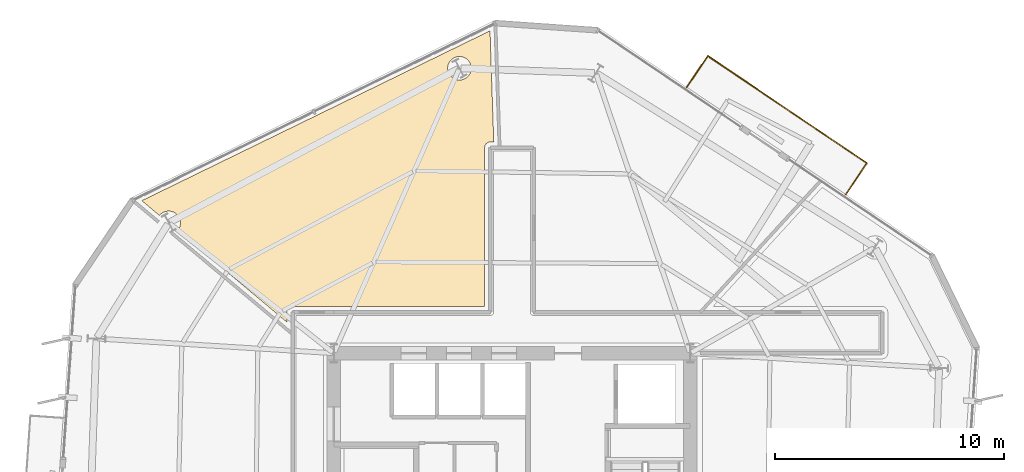
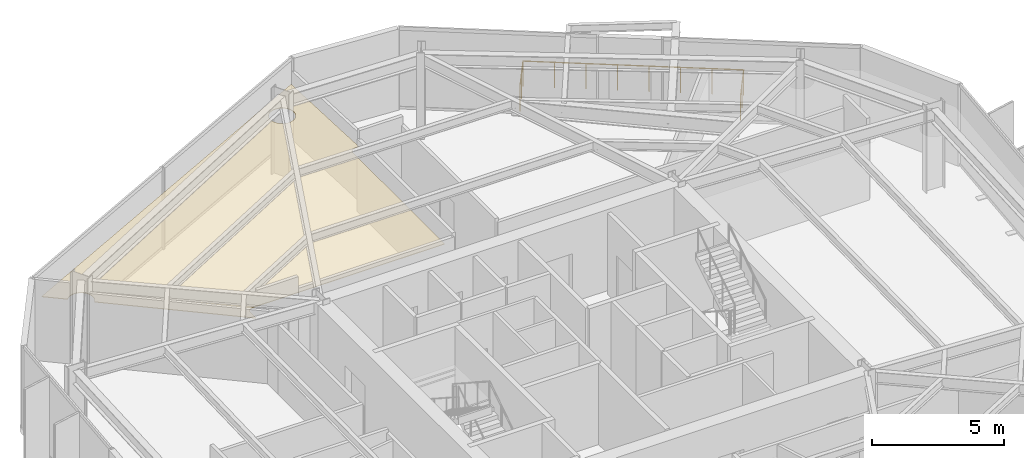
# One storey, part 14 of 14: 1 covering, 1 railing.
"""IFC4 building model written with IfcOpenShell, lengths in metres."""

from ifc_helpers import new_model, si_unit, direction, frame, origin, origin_2d, place, context, subcontext, project, spatial, polyline, circle, outline, extrude, material, layer, layer_set, type_object, element, save


model = new_model("IFC4")

# Units and contexts
model_context = context("Model", 3, precision=1e-05, world=origin(), true_north=direction((0.0, 1.0)))
body_context = subcontext(model_context, "Body", "Model", "MODEL_VIEW")
ifc_project = project(units=[si_unit("LENGTHUNIT", "METRE"), si_unit("AREAUNIT", "SQUARE_METRE"), si_unit("VOLUMEUNIT", "CUBIC_METRE"), si_unit("PLANEANGLEUNIT", "RADIAN"), si_unit("MASSUNIT", "GRAM", prefix="KILO")], contexts=[model_context])

# Site, building, storey
site_placement = place(None, origin())
site = spatial("IfcSite", under=ifc_project, at=site_placement, CompositionType="ELEMENT")
building_placement = place(site_placement, origin())
building = spatial("IfcBuilding", under=site, at=building_placement, Name="Kranzbogen Civic Tower", CompositionType="ELEMENT")
storey_placement = place(building_placement, frame((0.0, 0.0, 126.39990234375)))
storey = spatial("IfcBuildingStorey", under=building, at=storey_placement, Name="L30", CompositionType="ELEMENT", Elevation=126.39990234375)

# Railing
ifc_material_1 = material(Name="Anodised Bronze Aluminium", Category="aluminium")
railing_type = type_object("IfcRailingType", Name="Cantilevered Balcony Glass and Bronze Balustrade 1200", PredefinedType="BALUSTRADE", material=ifc_material_1)
railing_placement = place(storey_placement, frame((39.610107421875, 39.14892578125, 0.0)))
element("IfcRailing", 1, at=railing_placement, inside=storey, type_object=railing_type, Name="L30 exterior terrace balustrade L30-ST", PredefinedType="BALUSTRADE", context=body_context, shape_type="SweptSolid", body=[
    extrude(circle(Radius=0.02392578125, at=origin_2d()), frame((0.0, 0.0, 1.17578125), z_axis=(0.559198421631, 0.829033850482, 0.0), x_axis=(-0.829033850482, 0.559198421631, 0.0)), (0.0, 0.0, 1.0), 1.650390625),
    extrude(circle(Radius=0.02392578125, at=origin_2d()), frame((0.9228515625, 1.3681640625, 1.17578125), z_axis=(-0.829046747521, 0.559179300784, 0.0), x_axis=(-0.559179300784, -0.829046747521, 0.0)), (0.0, 0.0, 1.0), 8.39990234375),
    extrude(circle(Radius=0.02392578125, at=origin_2d()), frame((-6.041015625, 6.065185546875, 1.17578125), z_axis=(-0.559300085065, -0.828965267576, 0.0), x_axis=(0.828965267576, -0.559300085065, 0.0)), (0.0, 0.0, 1.0), 1.650390625),
    extrude(circle(Radius=0.02099609375, at=origin_2d()), origin(), (0.0, 0.0, 1.0), 1.15185546875),
    extrude(circle(Radius=0.02099609375, at=origin_2d()), frame((0.46142578125, 0.68408203125, 0.0)), (0.0, 0.0, 1.0), 1.15185546875),
    extrude(circle(Radius=0.02099609375, at=origin_2d()), frame((0.9228515625, 1.3681640625, 0.0)), (0.0, 0.0, 1.0), 1.15185546875),
    extrude(circle(Radius=0.02099609375, at=origin_2d()), frame((-0.072021484375, 2.0390625, 0.0)), (0.0, 0.0, 1.0), 1.15185546875),
    extrude(circle(Radius=0.02099609375, at=origin_2d()), frame((-1.06689453125, 2.710205078125, 0.0)), (0.0, 0.0, 1.0), 1.15185546875),
    extrude(circle(Radius=0.02099609375, at=origin_2d()), frame((-2.061767578125, 3.381103515625, 0.0)), (0.0, 0.0, 1.0), 1.15185546875),
    extrude(circle(Radius=0.02099609375, at=origin_2d()), frame((-3.056396484375, 4.05224609375, 0.0)), (0.0, 0.0, 1.0), 1.15185546875),
    extrude(circle(Radius=0.02099609375, at=origin_2d()), frame((-4.05126953125, 4.72314453125, 0.0)), (0.0, 0.0, 1.0), 1.15185546875),
    extrude(circle(Radius=0.02099609375, at=origin_2d()), frame((-5.046142578125, 5.394287109375, 0.0)), (0.0, 0.0, 1.0), 1.15185546875),
    extrude(circle(Radius=0.02099609375, at=origin_2d()), frame((-6.041015625, 6.065185546875, 0.0)), (0.0, 0.0, 1.0), 1.15185546875),
    extrude(circle(Radius=0.02099609375, at=origin_2d()), frame((-6.50244140625, 5.381103515625, 0.0)), (0.0, 0.0, 1.0), 1.15185546875),
    extrude(circle(Radius=0.02099609375, at=origin_2d()), frame((-6.964111328125, 4.697021484375, 0.0)), (0.0, 0.0, 1.0), 1.15185546875),
])

# Covering
ifc_material_2 = material(Name="Perforated Acoustic Gypsum Ceiling")
ifc_layer = layer(ifc_material_2, 0.02490234375, Name="Perforated Acoustic Gypsum Ceiling")
ifc_layer_set = layer_set([ifc_layer], Name="Perforated Acoustic Gypsum Ceiling")
covering_type = type_object("IfcCoveringType", Name="Perforated Acoustic Mineral Ceiling Tile 25 mm", PredefinedType="CEILING", material=ifc_layer_set)
covering_placement = place(storey_placement, frame((0.0, 0.0, 2.75)))
element("IfcCovering", 2, at=covering_placement, inside=storey, type_object=covering_type, Name="L30 Refreshment Galley Pantry acoustic ceiling", PredefinedType="CEILING", context=body_context, shape_type="SweptSolid", body=[
    extrude(outline(polyline([(24.201904296875, 41.445068359375), (24.050048828125, 41.445068359375), (24.041015625, 41.445068359375), (24.034912109375, 41.444091796875), (24.01708984375, 41.443115234375), (24.010986328125, 41.44189453125), (23.993896484375, 41.43798828125), (23.987060546875, 41.43701171875), (23.969970703125, 41.431884765625), (23.964111328125, 41.429931640625), (23.947998046875, 41.423095703125), (23.94189453125, 41.419921875), (23.927001953125, 41.412109375), (23.9208984375, 41.407958984375), (23.906982421875, 41.39892578125), (23.902099609375, 41.39501953125), (23.887939453125, 41.384033203125), (23.883056640625, 41.37890625), (23.87109375, 41.366943359375), (23.865966796875, 41.362060546875), (23.85498046875, 41.347900390625), (23.85107421875, 41.343017578125), (23.842041015625, 41.3291015625), (23.837890625, 41.322998046875), (23.830078125, 41.30810546875), (23.826904296875, 41.302001953125), (23.820068359375, 41.285888671875), (23.818115234375, 41.280029296875), (23.81298828125, 41.262939453125), (23.81201171875, 41.256103515625), (23.80810546875, 41.239013671875), (23.806884765625, 41.23291015625), (23.805908203125, 41.215087890625), (23.804931640625, 41.208984375), (23.804931640625, 41.199951171875), (23.804931640625, 34.2451171875), (15.39990234375, 34.2451171875), (15.39111328125, 34.2451171875), (15.385009765625, 34.243896484375), (15.366943359375, 34.242919921875), (15.361083984375, 34.241943359375), (15.343994140625, 34.238037109375), (15.3369140625, 34.237060546875), (15.320068359375, 34.23193359375), (15.31396484375, 34.22998046875), (15.298095703125, 34.222900390625), (15.2919921875, 34.219970703125), (15.277099609375, 34.2119140625), (15.27099609375, 34.2080078125), (15.257080078125, 34.198974609375), (15.251953125, 34.195068359375), (15.238037109375, 34.18408203125), (15.23291015625, 34.178955078125), (15.220947265625, 34.1669921875), (15.216064453125, 34.162109375), (15.205078125, 34.14794921875), (15.200927734375, 34.14306640625), (15.19189453125, 34.12890625), (15.18798828125, 34.123046875), (15.179931640625, 34.10791015625), (15.177001953125, 34.10205078125), (15.169921875, 34.0859375), (15.16796875, 34.080078125), (15.1630859375, 34.06298828125), (15.162109375, 34.055908203125), (15.157958984375, 34.0390625), (15.156982421875, 34.032958984375), (15.156005859375, 34.014892578125), (15.155029296875, 34.009033203125), (15.155029296875, 34.0), (15.155029296875, 33.55810546875), (10.363037109375, 37.569091796875), (10.375, 37.58203125), (10.405029296875, 37.6220703125), (10.430908203125, 37.666015625), (10.451904296875, 37.7109375), (10.468994140625, 37.759033203125), (10.48095703125, 37.80810546875), (10.489013671875, 37.85791015625), (10.490966796875, 37.907958984375), (10.489013671875, 37.9580078125), (10.48095703125, 38.008056640625), (10.468994140625, 38.056884765625), (10.451904296875, 38.10498046875), (10.430908203125, 38.14990234375), (10.405029296875, 38.194091796875), (10.375, 38.23388671875), (10.341064453125, 38.27197265625), (10.302978515625, 38.305908203125), (10.262939453125, 38.3359375), (10.218994140625, 38.362060546875), (10.174072265625, 38.383056640625), (10.1259765625, 38.39990234375), (10.076904296875, 38.412109375), (10.027099609375, 38.419921875), (9.97705078125, 38.422119140625), (9.927001953125, 38.419921875), (9.876953125, 38.412109375), (9.827880859375, 38.39990234375), (9.780029296875, 38.383056640625), (9.735107421875, 38.362060546875), (9.69091796875, 38.3359375), (9.65087890625, 38.305908203125), (9.613037109375, 38.27197265625), (9.5791015625, 38.23388671875), (9.574951171875, 38.22802734375), (8.799072265625, 38.876953125), (24.0390625, 46.31103515625), (24.201904296875, 41.445068359375)]), holes=[polyline([(23.174072265625, 44.47509765625), (23.153076171875, 44.429931640625), (23.126953125, 44.385986328125), (23.096923828125, 44.345947265625), (23.06298828125, 44.30810546875), (23.02490234375, 44.27392578125), (22.985107421875, 44.243896484375), (22.94091796875, 44.218017578125), (22.89599609375, 44.197021484375), (22.847900390625, 44.179931640625), (22.799072265625, 44.16796875), (22.7490234375, 44.159912109375), (22.698974609375, 44.157958984375), (22.64892578125, 44.159912109375), (22.59912109375, 44.16796875), (22.550048828125, 44.179931640625), (22.501953125, 44.197021484375), (22.45703125, 44.218017578125), (22.4130859375, 44.243896484375), (22.373046875, 44.27392578125), (22.3349609375, 44.30810546875), (22.301025390625, 44.345947265625), (22.27099609375, 44.385986328125), (22.2451171875, 44.429931640625), (22.22412109375, 44.47509765625), (22.20703125, 44.52294921875), (22.195068359375, 44.572021484375), (22.18701171875, 44.6220703125), (22.18505859375, 44.672119140625), (22.18701171875, 44.721923828125), (22.195068359375, 44.77197265625), (22.20703125, 44.821044921875), (22.22412109375, 44.868896484375), (22.2451171875, 44.9140625), (22.27099609375, 44.9580078125), (22.301025390625, 44.998046875), (22.3349609375, 45.035888671875), (22.373046875, 45.070068359375), (22.4130859375, 45.10009765625), (22.45703125, 45.1259765625), (22.501953125, 45.14697265625), (22.550048828125, 45.1640625), (22.59912109375, 45.176025390625), (22.64892578125, 45.18408203125), (22.698974609375, 45.18603515625), (22.7490234375, 45.18408203125), (22.799072265625, 45.176025390625), (22.847900390625, 45.1640625), (22.89599609375, 45.14697265625), (22.94091796875, 45.1259765625), (22.985107421875, 45.10009765625), (23.02490234375, 45.070068359375), (23.06298828125, 45.035888671875), (23.096923828125, 44.998046875), (23.126953125, 44.9580078125), (23.153076171875, 44.9140625), (23.174072265625, 44.868896484375), (23.19091796875, 44.821044921875), (23.202880859375, 44.77197265625), (23.2109375, 44.721923828125), (23.212890625, 44.672119140625), (23.2109375, 44.6220703125), (23.202880859375, 44.572021484375), (23.19091796875, 44.52294921875), (23.174072265625, 44.47509765625)])]), origin(), (0.0, 0.0, 1.0), 0.025146484375),
])

save(model, "model.ifc")
